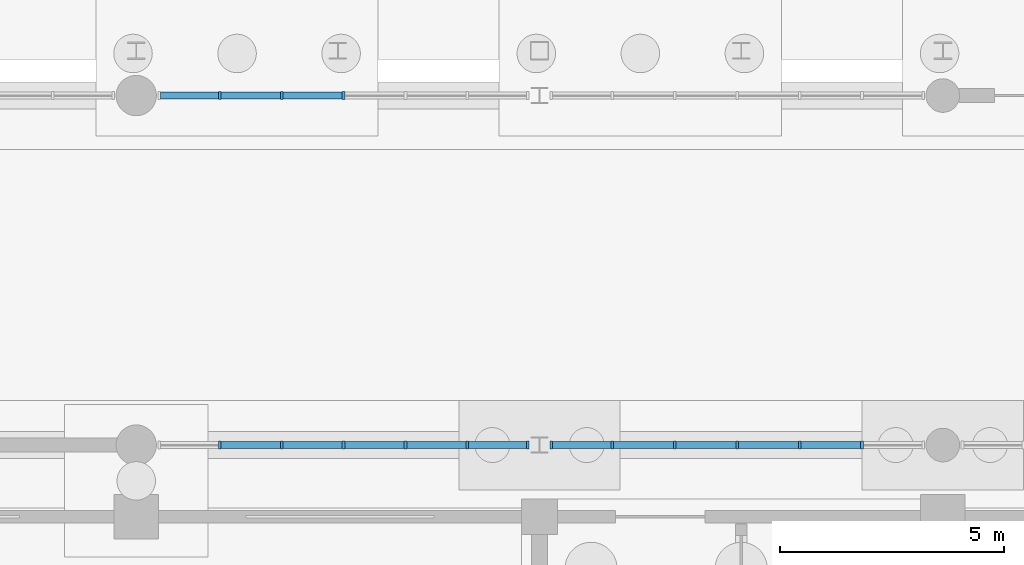
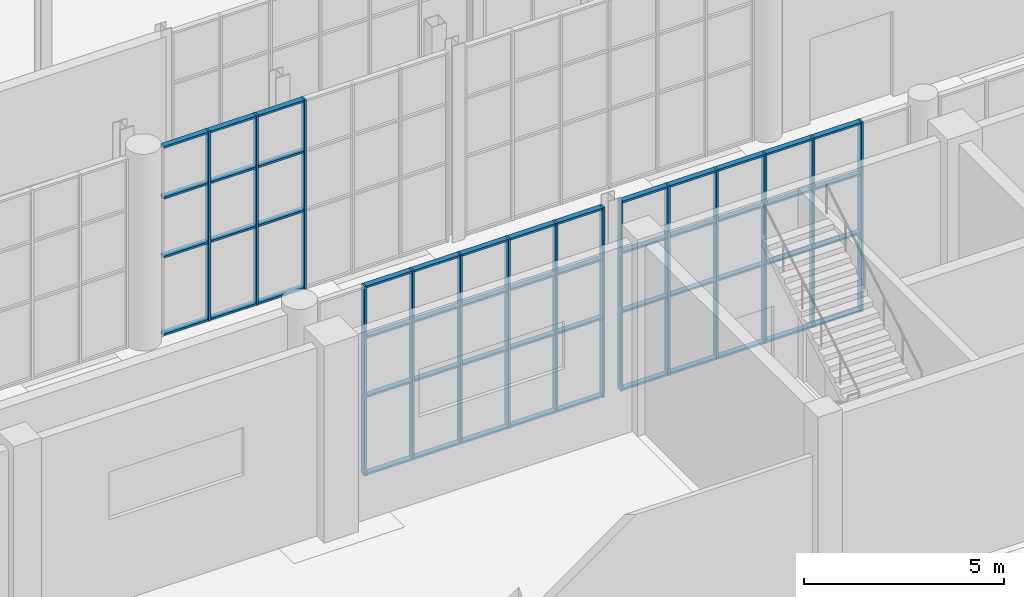
# One storey, part 63 of 131: 67 members, 3 elements without a shape of their own.
"""IFC4 building model written with IfcOpenShell, lengths in metres."""

import ifcopenshell
import ifcopenshell.guid

model = None  # the IFC model being written
_history = None  # IfcOwnerHistory: only IFC2X3 demands one
_inside = {}  # id of a spatial element -> (the spatial element, [elements in it])
_under = {}  # id of a project, library or spatial element -> (it, [spatial elements below it])
_declared = {}  # id of a project -> (the project, [libraries it declares])
_typed = {}  # id of a type object -> (the type object, [elements of that type])
_made_of = {}  # id of a material, layer set ... -> (it, [elements and type objects made of it])


def new_model(schema):
    """Start an empty IFC model of exactly this schema.

    Asked for "IFC4X3", IfcOpenShell would pick the latest addendum, in which some entities
    have other attributes; the version numbers below select the first issue.
    IFC2X3 requires an IfcOwnerHistory on every rooted entity: one is made here for all.
    """
    global model, _history
    if schema == "IFC4X3":
        model = ifcopenshell.file(schema_version=(4, 3, 0, 0))
    else:
        model = ifcopenshell.file(schema=schema)
    _inside.clear()
    _under.clear()
    _declared.clear()
    _typed.clear()
    _made_of.clear()
    _history = None
    if model.schema == "IFC2X3":
        org = make("IfcOrganization", Name="unknown")
        user = make(
            "IfcPersonAndOrganization",
            ThePerson=make("IfcPerson", FamilyName="unknown"),
            TheOrganization=org,
        )
        app = make(
            "IfcApplication",
            ApplicationDeveloper=org,
            Version="unknown",
            ApplicationFullName="unknown",
            ApplicationIdentifier="unknown",
        )
        _history = make(
            "IfcOwnerHistory",
            OwningUser=user,
            OwningApplication=app,
            ChangeAction="ADDED",
            CreationDate=0,
        )
    return model


def make(cls, **values):
    """One entity of the class cls with the attributes given. An attribute that is None is left unset."""
    return model.create_entity(
        cls, **{name: value for name, value in values.items() if value is not None}
    )


def rooted(cls, **values):
    """An entity with a GlobalId (a new one), such as an element, a storey or a relation."""
    return make(cls, GlobalId=ifcopenshell.guid.new(), OwnerHistory=_history, **values)


def si_unit(unit_type, name, prefix=None):
    """IfcSIUnit, for example si_unit("LENGTHUNIT", "METRE", prefix="MILLI")."""
    return make("IfcSIUnit", UnitType=unit_type, Prefix=prefix, Name=name)


def assignment(units):
    """IfcUnitAssignment: the units of a project."""
    return None if units is None else make("IfcUnitAssignment", Units=units)


def point(xyz):
    """IfcCartesianPoint."""
    return None if xyz is None else make("IfcCartesianPoint", Coordinates=xyz)


def direction(xyz):
    """IfcDirection."""
    return None if xyz is None else make("IfcDirection", DirectionRatios=xyz)


def frame(location, z_axis=None, x_axis=None):
    """IfcAxis2Placement3D, a coordinate frame: its origin and axes. An axis left out is left unset."""
    return make(
        "IfcAxis2Placement3D",
        Location=point(location),
        Axis=direction(z_axis),
        RefDirection=direction(x_axis),
    )


def frame_2d(location, x_axis=None):
    """IfcAxis2Placement2D, a coordinate frame in the plane: its origin and x axis."""
    return make(
        "IfcAxis2Placement2D", Location=point(location), RefDirection=direction(x_axis)
    )


def origin():
    """The frame at (0, 0, 0) with its axes left unset."""
    return frame((0.0, 0.0, 0.0))


def origin_2d():
    """The frame at (0, 0) in the plane with its x axis left unset."""
    return frame_2d((0.0, 0.0))


def place(relative_to, where):
    """IfcLocalPlacement: puts the frame where relative to a parent placement (None: the world)."""
    return make(
        "IfcLocalPlacement", PlacementRelTo=relative_to, RelativePlacement=where
    )


def context(
    kind, dimensions, precision=None, world=None, true_north=None, identifier=None
):
    """IfcGeometricRepresentationContext, for example the 3D "Model" context."""
    return make(
        "IfcGeometricRepresentationContext",
        ContextIdentifier=identifier,
        ContextType=kind,
        CoordinateSpaceDimension=dimensions,
        Precision=precision,
        WorldCoordinateSystem=world,
        TrueNorth=true_north,
    )


def subcontext(parent, identifier, kind, view, scale=None):
    """IfcGeometricRepresentationSubContext, for example "Body" below "Model"."""
    return make(
        "IfcGeometricRepresentationSubContext",
        ContextIdentifier=identifier,
        ContextType=kind,
        ParentContext=parent,
        TargetScale=scale,
        TargetView=view,
    )


def project(units=None, contexts=None):
    """IfcProject with its units and contexts."""
    return rooted(
        "IfcProject",
        Name="project",
        RepresentationContexts=contexts,
        UnitsInContext=assignment(units),
    )


def spatial(cls, under=None, at=None, **own):
    """A site, building, storey or space (cls), placed at a placement, below another one or the project."""
    s = rooted(cls, ObjectPlacement=at, **own)
    if under is not None:
        _under.setdefault(under.id(), (under, []))[1].append(s)
    return s


def profile(cls, at=None, kind="AREA", **sizes):
    """A parametric profile (cls). Its sizes go by their IFC names, for example OverallWidth=200.0."""
    return make(cls, ProfileType=kind, Position=at, **sizes)


def rectangle(**sizes):
    """IfcRectangleProfileDef."""
    return profile("IfcRectangleProfileDef", **sizes)


def extrude(swept, where, along, depth):
    """IfcExtrudedAreaSolid: the profile swept, set in the frame where, extruded along a direction by depth."""
    return make(
        "IfcExtrudedAreaSolid",
        SweptArea=swept,
        Position=where,
        ExtrudedDirection=direction(along),
        Depth=depth,
    )


def shape(context_of_items, identifier, shape_type, items):
    """IfcShapeRepresentation: the items that make up one representation, for example the "Body"."""
    return make(
        "IfcShapeRepresentation",
        ContextOfItems=context_of_items,
        RepresentationIdentifier=identifier,
        RepresentationType=shape_type,
        Items=items,
    )


def material(Name=None, Category=None):
    """IfcMaterial."""
    return make("IfcMaterial", Name=Name, Category=Category)


def layer(
    of_material, thickness, ventilated=None, Name=None, Category=None, Priority=None
):
    """IfcMaterialLayer: one layer of a wall or slab, of a material (None: an air gap)."""
    return make(
        "IfcMaterialLayer",
        Material=of_material,
        LayerThickness=thickness,
        IsVentilated=ventilated,
        Name=Name,
        Category=Category,
        Priority=Priority,
    )


def layer_set(layers, Name=None):
    """IfcMaterialLayerSet."""
    return make("IfcMaterialLayerSet", MaterialLayers=layers, LayerSetName=Name)


def material_profile(
    of_material, cross_section, Name=None, Category=None, Priority=None
):
    """IfcMaterialProfile: a cross section and its material."""
    return make(
        "IfcMaterialProfile",
        Name=Name,
        Material=of_material,
        Profile=cross_section,
        Priority=Priority,
        Category=Category,
    )


def profile_set(profiles, Name=None, composite=None):
    """IfcMaterialProfileSet."""
    return make(
        "IfcMaterialProfileSet",
        Name=Name,
        MaterialProfiles=profiles,
        CompositeProfile=composite,
    )


def made_of(thing, what):
    """Note that an element or type object is made of a material, layer set ...; save() writes the relation."""
    if what is not None:
        _made_of.setdefault(what.id(), (what, []))[1].append(thing)
    return thing


def type_object(cls, material=None, **own):
    """A type object (cls), such as IfcWallType, which elements share."""
    return made_of(rooted(cls, **own), material)


def element(
    cls,
    number,
    at=None,
    inside=None,
    cuts=None,
    type_object=None,
    material=None,
    context=None,
    identifier="Body",
    shape_type=None,
    held_by="IfcProductDefinitionShape",
    body=None,
    shapes=None,
    **own,
):
    """One element of the class cls, such as IfcWall. Its Tag is "e" and its number.

    at: its placement. inside: the storey or other place that contains it. cuts: it is an
    opening in that element (IfcRelVoidsElement). A single representation is given by context,
    identifier, shape_type and body (its items); several are given by shapes. held_by: the class
    of the entity that holds the representations. save() writes the other relations.
    """
    e = rooted(cls, Tag="e%d" % number, ObjectPlacement=at, **own)
    if body is not None:
        shapes = [shape(context, identifier, shape_type, body)]
    if shapes is not None:
        e.Representation = make(held_by, Representations=shapes)
    if inside is not None:
        _inside.setdefault(inside.id(), (inside, []))[1].append(e)
    if cuts is not None:
        rooted(
            "IfcRelVoidsElement", RelatingBuildingElement=cuts, RelatedOpeningElement=e
        )
    if type_object is not None:
        _typed.setdefault(type_object.id(), (type_object, []))[1].append(e)
    return made_of(e, material)


def aggregate(whole, parts):
    """IfcRelAggregates: a whole, such as a stair, and the parts it consists of."""
    return rooted("IfcRelAggregates", RelatingObject=whole, RelatedObjects=parts)


def save(model, path):
    """Write the relations noted so far, then the file.

    IfcRelAggregates (storeys below a building ...), IfcRelContainedInSpatialStructure (elements
    in a storey), IfcRelDefinesByType, IfcRelAssociatesMaterial and IfcRelDeclares: one each for
    every whole, place, type object, material and project.
    """
    for whole, parts in _under.values():
        aggregate(whole, parts)
    for where, things in _inside.values():
        rooted(
            "IfcRelContainedInSpatialStructure",
            RelatedElements=things,
            RelatingStructure=where,
        )
    for kind, things in _typed.values():
        rooted("IfcRelDefinesByType", RelatedObjects=things, RelatingType=kind)
    for what, things in _made_of.values():
        rooted("IfcRelAssociatesMaterial", RelatedObjects=things, RelatingMaterial=what)
    for by, libraries in _declared.values():
        rooted("IfcRelDeclares", RelatingContext=by, RelatedDefinitions=libraries)
    model.write(path)


model = new_model("IFC4")

# Units and contexts
model_context = context("Model", 3, precision=1e-05, world=origin(), true_north=direction((0.0, 1.0)))
body_context = subcontext(model_context, "Body", "Model", "MODEL_VIEW")
ifc_project = project(units=[si_unit("LENGTHUNIT", "METRE"), si_unit("AREAUNIT", "SQUARE_METRE"), si_unit("VOLUMEUNIT", "CUBIC_METRE"), si_unit("PLANEANGLEUNIT", "RADIAN"), si_unit("MASSUNIT", "GRAM", prefix="KILO")], contexts=[model_context])

# Site, building, storey
site_placement = place(None, origin())
site = spatial("IfcSite", under=ifc_project, at=site_placement, CompositionType="ELEMENT")
building_placement = place(site_placement, origin())
building = spatial("IfcBuilding", under=site, at=building_placement, Name="Cazmaro Siding Exhibition Halls", CompositionType="ELEMENT")
storey_placement = place(building_placement, origin())
storey = spatial("IfcBuildingStorey", under=building, at=storey_placement, Name="L00", CompositionType="ELEMENT", Elevation=0.0)

# Curtain wall, members
ifc_material_1 = material(Name="Anodized Bronze Aluminum and Solar-Control Low-E Glazing", Category="aluminium")
ifc_layer = layer(ifc_material_1, 0.179931640625)
ifc_layer_set = layer_set([ifc_layer], Name="Anodized Bronze Aluminum and Solar-Control Low-E Glazing")
curtain_wall_type = type_object("IfcCurtainWallType", Name="CWS-01", PredefinedType="USERDEFINED", material=ifc_layer_set)
curtain_wall_1_placement = place(storey_placement, origin())
curtain_wall_1 = element("IfcCurtainWall", 1, at=curtain_wall_1_placement, inside=storey, type_object=curtain_wall_type, Name="Glazed Curtain Wall CWS-01 CW-190", ObjectType="GLAZED CURTAIN WALL", PredefinedType="USERDEFINED")
ifc_material_2 = material(Name="Anodized Bronze Extruded Aluminum", Category="aluminium")
ifc_material_profile_1 = material_profile(ifc_material_2, rectangle(XDim=0.179931640625, YDim=0.06005859375, at=origin_2d()), Name="CWM-01")
ifc_profile_set_1 = profile_set([ifc_material_profile_1], Name="Anodized Bronze Extruded Aluminum")
member_type_1 = type_object("IfcMemberType", Name="CWM-01", PredefinedType="MULLION", material=ifc_profile_set_1)
member_1_placement = place(storey_placement, frame((127.8642578125, 55.199951171875, 0.0), z_axis=(0.0, 0.0, 1.0), x_axis=(0.0, 1.0, 0.0)))
member_1 = element("IfcMember", 2, at=member_1_placement, type_object=member_type_1, Name="CWS-01 mullion 2", PredefinedType="MULLION", context=body_context, shape_type="SweptSolid", body=[
    extrude(rectangle(XDim=0.179931640625, YDim=0.06005859375, at=origin_2d()), origin(), (0.0, 0.0, 1.0), 5.780029296875),
])
member_2_placement = place(storey_placement, frame((129.245361328125, 55.199951171875, 0.0), z_axis=(0.0, 0.0, 1.0), x_axis=(0.0, 1.0, 0.0)))
member_2 = element("IfcMember", 3, at=member_2_placement, type_object=member_type_1, Name="CWS-01 mullion 3", PredefinedType="MULLION", context=body_context, shape_type="SweptSolid", body=[
    extrude(rectangle(XDim=0.179931640625, YDim=0.06005859375, at=origin_2d()), origin(), (0.0, 0.0, 1.0), 5.780029296875),
])
member_3_placement = place(storey_placement, frame((130.62646484375, 55.199951171875, 0.0), z_axis=(0.0, 0.0, 1.0), x_axis=(0.0, 1.0, 0.0)))
member_3 = element("IfcMember", 4, at=member_3_placement, type_object=member_type_1, Name="CWS-01 mullion 4", PredefinedType="MULLION", context=body_context, shape_type="SweptSolid", body=[
    extrude(rectangle(XDim=0.179931640625, YDim=0.06005859375, at=origin_2d()), origin(), (0.0, 0.0, 1.0), 5.780029296875),
])
member_4_placement = place(storey_placement, frame((132.007568359375, 55.199951171875, 0.0), z_axis=(0.0, 0.0, 1.0), x_axis=(0.0, 1.0, 0.0)))
member_4 = element("IfcMember", 5, at=member_4_placement, type_object=member_type_1, Name="CWS-01 mullion 5", PredefinedType="MULLION", context=body_context, shape_type="SweptSolid", body=[
    extrude(rectangle(XDim=0.179931640625, YDim=0.06005859375, at=origin_2d()), origin(), (0.0, 0.0, 1.0), 5.780029296875),
])
member_5_placement = place(storey_placement, frame((133.388916015625, 55.199951171875, 0.0), z_axis=(0.0, 0.0, 1.0), x_axis=(0.0, 1.0, 0.0)))
member_5 = element("IfcMember", 6, at=member_5_placement, type_object=member_type_1, Name="CWS-01 mullion 6", PredefinedType="MULLION", context=body_context, shape_type="SweptSolid", body=[
    extrude(rectangle(XDim=0.179931640625, YDim=0.06005859375, at=origin_2d()), origin(), (0.0, 0.0, 1.0), 5.780029296875),
])
member_6_placement = place(storey_placement, frame((134.739990234375, 55.199951171875, 0.0), z_axis=(0.0, 0.0, 1.0), x_axis=(0.0, 1.0, 0.0)))
member_6 = element("IfcMember", 7, at=member_6_placement, type_object=member_type_1, Name="CWS-01 mullion 7", PredefinedType="MULLION", context=body_context, shape_type="SweptSolid", body=[
    extrude(rectangle(XDim=0.179931640625, YDim=0.06005859375, at=origin_2d()), origin(), (0.0, 0.0, 1.0), 5.780029296875),
])

curtain_wall_2_placement = place(storey_placement, origin())
curtain_wall_2 = element("IfcCurtainWall", 8, at=curtain_wall_2_placement, inside=storey, type_object=curtain_wall_type, Name="Glazed Curtain Wall CWS-01 CW-191", ObjectType="GLAZED CURTAIN WALL", PredefinedType="USERDEFINED")
member_7_placement = place(storey_placement, frame((130.62646484375, 63.0, 0.0), z_axis=(0.0, 0.0, 1.0), x_axis=(0.0, -1.0, 0.0)))
member_7 = element("IfcMember", 9, at=member_7_placement, type_object=member_type_1, Name="CWS-01 mullion 4", PredefinedType="MULLION", context=body_context, shape_type="SweptSolid", body=[
    extrude(rectangle(XDim=0.179931640625, YDim=0.06005859375, at=origin_2d()), origin(), (0.0, 0.0, 1.0), 5.780029296875),
])
member_8_placement = place(storey_placement, frame((129.245361328125, 63.0, 0.0), z_axis=(0.0, 0.0, 1.0), x_axis=(0.0, -1.0, 0.0)))
member_8 = element("IfcMember", 10, at=member_8_placement, type_object=member_type_1, Name="CWS-01 mullion 5", PredefinedType="MULLION", context=body_context, shape_type="SweptSolid", body=[
    extrude(rectangle(XDim=0.179931640625, YDim=0.06005859375, at=origin_2d()), origin(), (0.0, 0.0, 1.0), 5.780029296875),
])
member_9_placement = place(storey_placement, frame((127.8642578125, 63.0, 0.0), z_axis=(0.0, 0.0, 1.0), x_axis=(0.0, -1.0, 0.0)))
member_9 = element("IfcMember", 11, at=member_9_placement, type_object=member_type_1, Name="CWS-01 mullion 6", PredefinedType="MULLION", context=body_context, shape_type="SweptSolid", body=[
    extrude(rectangle(XDim=0.179931640625, YDim=0.06005859375, at=origin_2d()), origin(), (0.0, 0.0, 1.0), 5.780029296875),
])

curtain_wall_3_placement = place(storey_placement, origin())
curtain_wall_3 = element("IfcCurtainWall", 12, at=curtain_wall_3_placement, inside=storey, type_object=curtain_wall_type, Name="Glazed Curtain Wall CWS-01 CW-196", ObjectType="GLAZED CURTAIN WALL", PredefinedType="USERDEFINED")
member_10_placement = place(storey_placement, frame((135.260009765625, 55.199951171875, 0.0), z_axis=(0.0, 0.0, 1.0), x_axis=(0.0, 1.0, 0.0)))
member_10 = element("IfcMember", 13, at=member_10_placement, type_object=member_type_1, Name="CWS-01 mullion 1", PredefinedType="MULLION", context=body_context, shape_type="SweptSolid", body=[
    extrude(rectangle(XDim=0.179931640625, YDim=0.06005859375, at=origin_2d()), origin(), (0.0, 0.0, 1.0), 5.780029296875),
])
member_11_placement = place(storey_placement, frame((136.623779296875, 55.199951171875, 0.0), z_axis=(0.0, 0.0, 1.0), x_axis=(0.0, 1.0, 0.0)))
member_11 = element("IfcMember", 14, at=member_11_placement, type_object=member_type_1, Name="CWS-01 mullion 2", PredefinedType="MULLION", context=body_context, shape_type="SweptSolid", body=[
    extrude(rectangle(XDim=0.179931640625, YDim=0.06005859375, at=origin_2d()), origin(), (0.0, 0.0, 1.0), 5.780029296875),
])
member_12_placement = place(storey_placement, frame((138.017333984375, 55.199951171875, 0.0), z_axis=(0.0, 0.0, 1.0), x_axis=(0.0, 1.0, 0.0)))
member_12 = element("IfcMember", 15, at=member_12_placement, type_object=member_type_1, Name="CWS-01 mullion 3", PredefinedType="MULLION", context=body_context, shape_type="SweptSolid", body=[
    extrude(rectangle(XDim=0.179931640625, YDim=0.06005859375, at=origin_2d()), origin(), (0.0, 0.0, 1.0), 5.780029296875),
])
member_13_placement = place(storey_placement, frame((139.410888671875, 55.199951171875, 0.0), z_axis=(0.0, 0.0, 1.0), x_axis=(0.0, 1.0, 0.0)))
member_13 = element("IfcMember", 16, at=member_13_placement, type_object=member_type_1, Name="CWS-01 mullion 4", PredefinedType="MULLION", context=body_context, shape_type="SweptSolid", body=[
    extrude(rectangle(XDim=0.179931640625, YDim=0.06005859375, at=origin_2d()), origin(), (0.0, 0.0, 1.0), 5.780029296875),
])
member_14_placement = place(storey_placement, frame((140.8046875, 55.199951171875, 0.0), z_axis=(0.0, 0.0, 1.0), x_axis=(0.0, 1.0, 0.0)))
member_14 = element("IfcMember", 17, at=member_14_placement, type_object=member_type_1, Name="CWS-01 mullion 5", PredefinedType="MULLION", context=body_context, shape_type="SweptSolid", body=[
    extrude(rectangle(XDim=0.179931640625, YDim=0.06005859375, at=origin_2d()), origin(), (0.0, 0.0, 1.0), 5.780029296875),
])
member_15_placement = place(storey_placement, frame((142.1982421875, 55.199951171875, 0.0), z_axis=(0.0, 0.0, 1.0), x_axis=(0.0, 1.0, 0.0)))
member_15 = element("IfcMember", 18, at=member_15_placement, type_object=member_type_1, Name="CWS-01 mullion 6", PredefinedType="MULLION", context=body_context, shape_type="SweptSolid", body=[
    extrude(rectangle(XDim=0.179931640625, YDim=0.06005859375, at=origin_2d()), origin(), (0.0, 0.0, 1.0), 5.780029296875),
])

# Member
ifc_material_3 = material(Name="Anodized Bronze Extruded Aluminum", Category="aluminium")
ifc_material_profile_2 = material_profile(ifc_material_3, rectangle(XDim=0.159912109375, YDim=0.06005859375, at=origin_2d()), Name="CWT-01")
ifc_profile_set_2 = profile_set([ifc_material_profile_2], Name="Anodized Bronze Extruded Aluminum")
member_type_2 = type_object("IfcMemberType", Name="CWT-01", PredefinedType="MULLION", material=ifc_profile_set_2)
member_16_placement = place(storey_placement, frame((127.894287109375, 55.199951171875, 0.030029296875), z_axis=(1.0, 0.0, 0.0), x_axis=(0.0, 1.0, 0.0)))
member_16 = element("IfcMember", 19, at=member_16_placement, type_object=member_type_2, Name="CWS-01 transom 2.1", ObjectType="TRANSOM", PredefinedType="USERDEFINED", context=body_context, shape_type="SweptSolid", body=[
    extrude(rectangle(XDim=0.159912109375, YDim=0.06005859375, at=origin_2d()), origin(), (0.0, 0.0, 1.0), 1.321044921875),
])

member_17_placement = place(storey_placement, frame((127.894287109375, 55.199951171875, 2.39990234375), z_axis=(1.0, 0.0, 0.0), x_axis=(0.0, 1.0, 0.0)))
member_17 = element("IfcMember", 20, at=member_17_placement, type_object=member_type_2, Name="CWS-01 transom 2.2", ObjectType="TRANSOM", PredefinedType="USERDEFINED", context=body_context, shape_type="SweptSolid", body=[
    extrude(rectangle(XDim=0.159912109375, YDim=0.06005859375, at=origin_2d()), origin(), (0.0, 0.0, 1.0), 1.321044921875),
])

member_18_placement = place(storey_placement, frame((127.894287109375, 55.199951171875, 4.199951171875), z_axis=(1.0, 0.0, 0.0), x_axis=(0.0, 1.0, 0.0)))
member_18 = element("IfcMember", 21, at=member_18_placement, type_object=member_type_2, Name="CWS-01 transom 2.3", ObjectType="TRANSOM", PredefinedType="USERDEFINED", context=body_context, shape_type="SweptSolid", body=[
    extrude(rectangle(XDim=0.159912109375, YDim=0.06005859375, at=origin_2d()), origin(), (0.0, 0.0, 1.0), 1.321044921875),
])

member_19_placement = place(storey_placement, frame((127.894287109375, 55.199951171875, 5.75), z_axis=(1.0, 0.0, 0.0), x_axis=(0.0, 1.0, 0.0)))
member_19 = element("IfcMember", 22, at=member_19_placement, type_object=member_type_2, Name="CWS-01 transom 2.4", ObjectType="TRANSOM", PredefinedType="USERDEFINED", context=body_context, shape_type="SweptSolid", body=[
    extrude(rectangle(XDim=0.159912109375, YDim=0.06005859375, at=origin_2d()), origin(), (0.0, 0.0, 1.0), 1.321044921875),
])

member_20_placement = place(storey_placement, frame((129.275390625, 55.199951171875, 0.030029296875), z_axis=(1.0, 0.0, 0.0), x_axis=(0.0, 1.0, 0.0)))
member_20 = element("IfcMember", 23, at=member_20_placement, type_object=member_type_2, Name="CWS-01 transom 3.1", ObjectType="TRANSOM", PredefinedType="USERDEFINED", context=body_context, shape_type="SweptSolid", body=[
    extrude(rectangle(XDim=0.159912109375, YDim=0.06005859375, at=origin_2d()), origin(), (0.0, 0.0, 1.0), 1.321044921875),
])

member_21_placement = place(storey_placement, frame((129.275390625, 55.199951171875, 2.39990234375), z_axis=(1.0, 0.0, 0.0), x_axis=(0.0, 1.0, 0.0)))
member_21 = element("IfcMember", 24, at=member_21_placement, type_object=member_type_2, Name="CWS-01 transom 3.2", ObjectType="TRANSOM", PredefinedType="USERDEFINED", context=body_context, shape_type="SweptSolid", body=[
    extrude(rectangle(XDim=0.159912109375, YDim=0.06005859375, at=origin_2d()), origin(), (0.0, 0.0, 1.0), 1.321044921875),
])

member_22_placement = place(storey_placement, frame((129.275390625, 55.199951171875, 4.199951171875), z_axis=(1.0, 0.0, 0.0), x_axis=(0.0, 1.0, 0.0)))
member_22 = element("IfcMember", 25, at=member_22_placement, type_object=member_type_2, Name="CWS-01 transom 3.3", ObjectType="TRANSOM", PredefinedType="USERDEFINED", context=body_context, shape_type="SweptSolid", body=[
    extrude(rectangle(XDim=0.159912109375, YDim=0.06005859375, at=origin_2d()), origin(), (0.0, 0.0, 1.0), 1.321044921875),
])

member_23_placement = place(storey_placement, frame((129.275390625, 55.199951171875, 5.75), z_axis=(1.0, 0.0, 0.0), x_axis=(0.0, 1.0, 0.0)))
member_23 = element("IfcMember", 26, at=member_23_placement, type_object=member_type_2, Name="CWS-01 transom 3.4", ObjectType="TRANSOM", PredefinedType="USERDEFINED", context=body_context, shape_type="SweptSolid", body=[
    extrude(rectangle(XDim=0.159912109375, YDim=0.06005859375, at=origin_2d()), origin(), (0.0, 0.0, 1.0), 1.321044921875),
])

member_24_placement = place(storey_placement, frame((130.656494140625, 55.199951171875, 0.030029296875), z_axis=(1.0, 0.0, 0.0), x_axis=(0.0, 1.0, 0.0)))
member_24 = element("IfcMember", 27, at=member_24_placement, type_object=member_type_2, Name="CWS-01 transom 4.1", ObjectType="TRANSOM", PredefinedType="USERDEFINED", context=body_context, shape_type="SweptSolid", body=[
    extrude(rectangle(XDim=0.159912109375, YDim=0.06005859375, at=origin_2d()), origin(), (0.0, 0.0, 1.0), 1.3212890625),
])

member_25_placement = place(storey_placement, frame((130.656494140625, 55.199951171875, 2.39990234375), z_axis=(1.0, 0.0, 0.0), x_axis=(0.0, 1.0, 0.0)))
member_25 = element("IfcMember", 28, at=member_25_placement, type_object=member_type_2, Name="CWS-01 transom 4.2", ObjectType="TRANSOM", PredefinedType="USERDEFINED", context=body_context, shape_type="SweptSolid", body=[
    extrude(rectangle(XDim=0.159912109375, YDim=0.06005859375, at=origin_2d()), origin(), (0.0, 0.0, 1.0), 1.3212890625),
])

member_26_placement = place(storey_placement, frame((130.656494140625, 55.199951171875, 4.199951171875), z_axis=(1.0, 0.0, 0.0), x_axis=(0.0, 1.0, 0.0)))
member_26 = element("IfcMember", 29, at=member_26_placement, type_object=member_type_2, Name="CWS-01 transom 4.3", ObjectType="TRANSOM", PredefinedType="USERDEFINED", context=body_context, shape_type="SweptSolid", body=[
    extrude(rectangle(XDim=0.159912109375, YDim=0.06005859375, at=origin_2d()), origin(), (0.0, 0.0, 1.0), 1.3212890625),
])

member_27_placement = place(storey_placement, frame((130.656494140625, 55.199951171875, 5.75), z_axis=(1.0, 0.0, 0.0), x_axis=(0.0, 1.0, 0.0)))
member_27 = element("IfcMember", 30, at=member_27_placement, type_object=member_type_2, Name="CWS-01 transom 4.4", ObjectType="TRANSOM", PredefinedType="USERDEFINED", context=body_context, shape_type="SweptSolid", body=[
    extrude(rectangle(XDim=0.159912109375, YDim=0.06005859375, at=origin_2d()), origin(), (0.0, 0.0, 1.0), 1.3212890625),
])

member_28_placement = place(storey_placement, frame((132.03759765625, 55.199951171875, 0.030029296875), z_axis=(1.0, 0.0, 0.0), x_axis=(0.0, 1.0, 0.0)))
member_28 = element("IfcMember", 31, at=member_28_placement, type_object=member_type_2, Name="CWS-01 transom 5.1", ObjectType="TRANSOM", PredefinedType="USERDEFINED", context=body_context, shape_type="SweptSolid", body=[
    extrude(rectangle(XDim=0.159912109375, YDim=0.06005859375, at=origin_2d()), origin(), (0.0, 0.0, 1.0), 1.3212890625),
])

member_29_placement = place(storey_placement, frame((132.03759765625, 55.199951171875, 2.39990234375), z_axis=(1.0, 0.0, 0.0), x_axis=(0.0, 1.0, 0.0)))
member_29 = element("IfcMember", 32, at=member_29_placement, type_object=member_type_2, Name="CWS-01 transom 5.2", ObjectType="TRANSOM", PredefinedType="USERDEFINED", context=body_context, shape_type="SweptSolid", body=[
    extrude(rectangle(XDim=0.159912109375, YDim=0.06005859375, at=origin_2d()), origin(), (0.0, 0.0, 1.0), 1.3212890625),
])

member_30_placement = place(storey_placement, frame((132.03759765625, 55.199951171875, 4.199951171875), z_axis=(1.0, 0.0, 0.0), x_axis=(0.0, 1.0, 0.0)))
member_30 = element("IfcMember", 33, at=member_30_placement, type_object=member_type_2, Name="CWS-01 transom 5.3", ObjectType="TRANSOM", PredefinedType="USERDEFINED", context=body_context, shape_type="SweptSolid", body=[
    extrude(rectangle(XDim=0.159912109375, YDim=0.06005859375, at=origin_2d()), origin(), (0.0, 0.0, 1.0), 1.3212890625),
])

member_31_placement = place(storey_placement, frame((132.03759765625, 55.199951171875, 5.75), z_axis=(1.0, 0.0, 0.0), x_axis=(0.0, 1.0, 0.0)))
member_31 = element("IfcMember", 34, at=member_31_placement, type_object=member_type_2, Name="CWS-01 transom 5.4", ObjectType="TRANSOM", PredefinedType="USERDEFINED", context=body_context, shape_type="SweptSolid", body=[
    extrude(rectangle(XDim=0.159912109375, YDim=0.06005859375, at=origin_2d()), origin(), (0.0, 0.0, 1.0), 1.3212890625),
])

member_32_placement = place(storey_placement, frame((133.4189453125, 55.199951171875, 0.030029296875), z_axis=(1.0, 0.0, 0.0), x_axis=(0.0, 1.0, 0.0)))
member_32 = element("IfcMember", 35, at=member_32_placement, type_object=member_type_2, Name="CWS-01 transom 6.1", ObjectType="TRANSOM", PredefinedType="USERDEFINED", context=body_context, shape_type="SweptSolid", body=[
    extrude(rectangle(XDim=0.159912109375, YDim=0.06005859375, at=origin_2d()), origin(), (0.0, 0.0, 1.0), 1.291015625),
])

member_33_placement = place(storey_placement, frame((133.4189453125, 55.199951171875, 2.39990234375), z_axis=(1.0, 0.0, 0.0), x_axis=(0.0, 1.0, 0.0)))
member_33 = element("IfcMember", 36, at=member_33_placement, type_object=member_type_2, Name="CWS-01 transom 6.2", ObjectType="TRANSOM", PredefinedType="USERDEFINED", context=body_context, shape_type="SweptSolid", body=[
    extrude(rectangle(XDim=0.159912109375, YDim=0.06005859375, at=origin_2d()), origin(), (0.0, 0.0, 1.0), 1.291015625),
])

member_34_placement = place(storey_placement, frame((133.4189453125, 55.199951171875, 4.199951171875), z_axis=(1.0, 0.0, 0.0), x_axis=(0.0, 1.0, 0.0)))
member_34 = element("IfcMember", 37, at=member_34_placement, type_object=member_type_2, Name="CWS-01 transom 6.3", ObjectType="TRANSOM", PredefinedType="USERDEFINED", context=body_context, shape_type="SweptSolid", body=[
    extrude(rectangle(XDim=0.159912109375, YDim=0.06005859375, at=origin_2d()), origin(), (0.0, 0.0, 1.0), 1.291015625),
])

member_35_placement = place(storey_placement, frame((133.4189453125, 55.199951171875, 5.75), z_axis=(1.0, 0.0, 0.0), x_axis=(0.0, 1.0, 0.0)))
member_35 = element("IfcMember", 38, at=member_35_placement, type_object=member_type_2, Name="CWS-01 transom 6.4", ObjectType="TRANSOM", PredefinedType="USERDEFINED", context=body_context, shape_type="SweptSolid", body=[
    extrude(rectangle(XDim=0.159912109375, YDim=0.06005859375, at=origin_2d()), origin(), (0.0, 0.0, 1.0), 1.291015625),
])

aggregate(curtain_wall_1, [member_1, member_2, member_3, member_4, member_5, member_6, member_16, member_17, member_18, member_19, member_20, member_21, member_22, member_23, member_24, member_25, member_26, member_27, member_28, member_29, member_30, member_31, member_32, member_33, member_34, member_35])

member_36_placement = place(storey_placement, frame((130.596435546875, 63.0, 0.030029296875), z_axis=(-1.0, 0.0, 0.0), x_axis=(0.0, -1.0, 0.0)))
member_36 = element("IfcMember", 39, at=member_36_placement, type_object=member_type_2, Name="CWS-01 transom 4.1", ObjectType="TRANSOM", PredefinedType="USERDEFINED", context=body_context, shape_type="SweptSolid", body=[
    extrude(rectangle(XDim=0.159912109375, YDim=0.06005859375, at=origin_2d()), origin(), (0.0, 0.0, 1.0), 1.321044921875),
])

member_37_placement = place(storey_placement, frame((130.596435546875, 63.0, 2.39990234375), z_axis=(-1.0, 0.0, 0.0), x_axis=(0.0, -1.0, 0.0)))
member_37 = element("IfcMember", 40, at=member_37_placement, type_object=member_type_2, Name="CWS-01 transom 4.2", ObjectType="TRANSOM", PredefinedType="USERDEFINED", context=body_context, shape_type="SweptSolid", body=[
    extrude(rectangle(XDim=0.159912109375, YDim=0.06005859375, at=origin_2d()), origin(), (0.0, 0.0, 1.0), 1.321044921875),
])

member_38_placement = place(storey_placement, frame((130.596435546875, 63.0, 4.199951171875), z_axis=(-1.0, 0.0, 0.0), x_axis=(0.0, -1.0, 0.0)))
member_38 = element("IfcMember", 41, at=member_38_placement, type_object=member_type_2, Name="CWS-01 transom 4.3", ObjectType="TRANSOM", PredefinedType="USERDEFINED", context=body_context, shape_type="SweptSolid", body=[
    extrude(rectangle(XDim=0.159912109375, YDim=0.06005859375, at=origin_2d()), origin(), (0.0, 0.0, 1.0), 1.321044921875),
])

member_39_placement = place(storey_placement, frame((130.596435546875, 63.0, 5.75), z_axis=(-1.0, 0.0, 0.0), x_axis=(0.0, -1.0, 0.0)))
member_39 = element("IfcMember", 42, at=member_39_placement, type_object=member_type_2, Name="CWS-01 transom 4.4", ObjectType="TRANSOM", PredefinedType="USERDEFINED", context=body_context, shape_type="SweptSolid", body=[
    extrude(rectangle(XDim=0.159912109375, YDim=0.06005859375, at=origin_2d()), origin(), (0.0, 0.0, 1.0), 1.321044921875),
])

member_40_placement = place(storey_placement, frame((129.21533203125, 63.0, 0.030029296875), z_axis=(-1.0, 0.0, 0.0), x_axis=(0.0, -1.0, 0.0)))
member_40 = element("IfcMember", 43, at=member_40_placement, type_object=member_type_2, Name="CWS-01 transom 5.1", ObjectType="TRANSOM", PredefinedType="USERDEFINED", context=body_context, shape_type="SweptSolid", body=[
    extrude(rectangle(XDim=0.159912109375, YDim=0.06005859375, at=origin_2d()), origin(), (0.0, 0.0, 1.0), 1.321044921875),
])

member_41_placement = place(storey_placement, frame((129.21533203125, 63.0, 2.39990234375), z_axis=(-1.0, 0.0, 0.0), x_axis=(0.0, -1.0, 0.0)))
member_41 = element("IfcMember", 44, at=member_41_placement, type_object=member_type_2, Name="CWS-01 transom 5.2", ObjectType="TRANSOM", PredefinedType="USERDEFINED", context=body_context, shape_type="SweptSolid", body=[
    extrude(rectangle(XDim=0.159912109375, YDim=0.06005859375, at=origin_2d()), origin(), (0.0, 0.0, 1.0), 1.321044921875),
])

member_42_placement = place(storey_placement, frame((129.21533203125, 63.0, 4.199951171875), z_axis=(-1.0, 0.0, 0.0), x_axis=(0.0, -1.0, 0.0)))
member_42 = element("IfcMember", 45, at=member_42_placement, type_object=member_type_2, Name="CWS-01 transom 5.3", ObjectType="TRANSOM", PredefinedType="USERDEFINED", context=body_context, shape_type="SweptSolid", body=[
    extrude(rectangle(XDim=0.159912109375, YDim=0.06005859375, at=origin_2d()), origin(), (0.0, 0.0, 1.0), 1.321044921875),
])

member_43_placement = place(storey_placement, frame((129.21533203125, 63.0, 5.75), z_axis=(-1.0, 0.0, 0.0), x_axis=(0.0, -1.0, 0.0)))
member_43 = element("IfcMember", 46, at=member_43_placement, type_object=member_type_2, Name="CWS-01 transom 5.4", ObjectType="TRANSOM", PredefinedType="USERDEFINED", context=body_context, shape_type="SweptSolid", body=[
    extrude(rectangle(XDim=0.159912109375, YDim=0.06005859375, at=origin_2d()), origin(), (0.0, 0.0, 1.0), 1.321044921875),
])

member_44_placement = place(storey_placement, frame((127.834228515625, 63.0, 0.030029296875), z_axis=(-1.0, 0.0, 0.0), x_axis=(0.0, -1.0, 0.0)))
member_44 = element("IfcMember", 47, at=member_44_placement, type_object=member_type_2, Name="CWS-01 transom 6.1", ObjectType="TRANSOM", PredefinedType="USERDEFINED", context=body_context, shape_type="SweptSolid", body=[
    extrude(rectangle(XDim=0.159912109375, YDim=0.06005859375, at=origin_2d()), origin(), (0.0, 0.0, 1.0), 1.291259765625),
])

member_45_placement = place(storey_placement, frame((127.834228515625, 63.0, 2.39990234375), z_axis=(-1.0, 0.0, 0.0), x_axis=(0.0, -1.0, 0.0)))
member_45 = element("IfcMember", 48, at=member_45_placement, type_object=member_type_2, Name="CWS-01 transom 6.2", ObjectType="TRANSOM", PredefinedType="USERDEFINED", context=body_context, shape_type="SweptSolid", body=[
    extrude(rectangle(XDim=0.159912109375, YDim=0.06005859375, at=origin_2d()), origin(), (0.0, 0.0, 1.0), 1.291259765625),
])

member_46_placement = place(storey_placement, frame((127.834228515625, 63.0, 4.199951171875), z_axis=(-1.0, 0.0, 0.0), x_axis=(0.0, -1.0, 0.0)))
member_46 = element("IfcMember", 49, at=member_46_placement, type_object=member_type_2, Name="CWS-01 transom 6.3", ObjectType="TRANSOM", PredefinedType="USERDEFINED", context=body_context, shape_type="SweptSolid", body=[
    extrude(rectangle(XDim=0.159912109375, YDim=0.06005859375, at=origin_2d()), origin(), (0.0, 0.0, 1.0), 1.291259765625),
])

member_47_placement = place(storey_placement, frame((127.834228515625, 63.0, 5.75), z_axis=(-1.0, 0.0, 0.0), x_axis=(0.0, -1.0, 0.0)))
member_47 = element("IfcMember", 50, at=member_47_placement, type_object=member_type_2, Name="CWS-01 transom 6.4", ObjectType="TRANSOM", PredefinedType="USERDEFINED", context=body_context, shape_type="SweptSolid", body=[
    extrude(rectangle(XDim=0.159912109375, YDim=0.06005859375, at=origin_2d()), origin(), (0.0, 0.0, 1.0), 1.291259765625),
])

aggregate(curtain_wall_2, [member_7, member_8, member_9, member_36, member_37, member_38, member_39, member_40, member_41, member_42, member_43, member_44, member_45, member_46, member_47])

member_48_placement = place(storey_placement, frame((135.2900390625, 55.199951171875, 0.030029296875), z_axis=(1.0, 0.0, 0.0), x_axis=(0.0, 1.0, 0.0)))
member_48 = element("IfcMember", 51, at=member_48_placement, type_object=member_type_2, Name="CWS-01 transom 1.1", ObjectType="TRANSOM", PredefinedType="USERDEFINED", context=body_context, shape_type="SweptSolid", body=[
    extrude(rectangle(XDim=0.159912109375, YDim=0.06005859375, at=origin_2d()), origin(), (0.0, 0.0, 1.0), 1.3037109375),
])

member_49_placement = place(storey_placement, frame((135.2900390625, 55.199951171875, 2.39990234375), z_axis=(1.0, 0.0, 0.0), x_axis=(0.0, 1.0, 0.0)))
member_49 = element("IfcMember", 52, at=member_49_placement, type_object=member_type_2, Name="CWS-01 transom 1.2", ObjectType="TRANSOM", PredefinedType="USERDEFINED", context=body_context, shape_type="SweptSolid", body=[
    extrude(rectangle(XDim=0.159912109375, YDim=0.06005859375, at=origin_2d()), origin(), (0.0, 0.0, 1.0), 1.3037109375),
])

member_50_placement = place(storey_placement, frame((135.2900390625, 55.199951171875, 4.199951171875), z_axis=(1.0, 0.0, 0.0), x_axis=(0.0, 1.0, 0.0)))
member_50 = element("IfcMember", 53, at=member_50_placement, type_object=member_type_2, Name="CWS-01 transom 1.3", ObjectType="TRANSOM", PredefinedType="USERDEFINED", context=body_context, shape_type="SweptSolid", body=[
    extrude(rectangle(XDim=0.159912109375, YDim=0.06005859375, at=origin_2d()), origin(), (0.0, 0.0, 1.0), 1.3037109375),
])

member_51_placement = place(storey_placement, frame((135.2900390625, 55.199951171875, 5.75), z_axis=(1.0, 0.0, 0.0), x_axis=(0.0, 1.0, 0.0)))
member_51 = element("IfcMember", 54, at=member_51_placement, type_object=member_type_2, Name="CWS-01 transom 1.4", ObjectType="TRANSOM", PredefinedType="USERDEFINED", context=body_context, shape_type="SweptSolid", body=[
    extrude(rectangle(XDim=0.159912109375, YDim=0.06005859375, at=origin_2d()), origin(), (0.0, 0.0, 1.0), 1.3037109375),
])

member_52_placement = place(storey_placement, frame((136.653564453125, 55.199951171875, 0.030029296875), z_axis=(1.0, 0.0, 0.0), x_axis=(0.0, 1.0, 0.0)))
member_52 = element("IfcMember", 55, at=member_52_placement, type_object=member_type_2, Name="CWS-01 transom 2.1", ObjectType="TRANSOM", PredefinedType="USERDEFINED", context=body_context, shape_type="SweptSolid", body=[
    extrude(rectangle(XDim=0.159912109375, YDim=0.06005859375, at=origin_2d()), origin(), (0.0, 0.0, 1.0), 1.333740234375),
])

member_53_placement = place(storey_placement, frame((136.653564453125, 55.199951171875, 2.39990234375), z_axis=(1.0, 0.0, 0.0), x_axis=(0.0, 1.0, 0.0)))
member_53 = element("IfcMember", 56, at=member_53_placement, type_object=member_type_2, Name="CWS-01 transom 2.2", ObjectType="TRANSOM", PredefinedType="USERDEFINED", context=body_context, shape_type="SweptSolid", body=[
    extrude(rectangle(XDim=0.159912109375, YDim=0.06005859375, at=origin_2d()), origin(), (0.0, 0.0, 1.0), 1.333740234375),
])

member_54_placement = place(storey_placement, frame((136.653564453125, 55.199951171875, 4.199951171875), z_axis=(1.0, 0.0, 0.0), x_axis=(0.0, 1.0, 0.0)))
member_54 = element("IfcMember", 57, at=member_54_placement, type_object=member_type_2, Name="CWS-01 transom 2.3", ObjectType="TRANSOM", PredefinedType="USERDEFINED", context=body_context, shape_type="SweptSolid", body=[
    extrude(rectangle(XDim=0.159912109375, YDim=0.06005859375, at=origin_2d()), origin(), (0.0, 0.0, 1.0), 1.333740234375),
])

member_55_placement = place(storey_placement, frame((136.653564453125, 55.199951171875, 5.75), z_axis=(1.0, 0.0, 0.0), x_axis=(0.0, 1.0, 0.0)))
member_55 = element("IfcMember", 58, at=member_55_placement, type_object=member_type_2, Name="CWS-01 transom 2.4", ObjectType="TRANSOM", PredefinedType="USERDEFINED", context=body_context, shape_type="SweptSolid", body=[
    extrude(rectangle(XDim=0.159912109375, YDim=0.06005859375, at=origin_2d()), origin(), (0.0, 0.0, 1.0), 1.333740234375),
])

member_56_placement = place(storey_placement, frame((138.04736328125, 55.199951171875, 0.030029296875), z_axis=(1.0, 0.0, 0.0), x_axis=(0.0, 1.0, 0.0)))
member_56 = element("IfcMember", 59, at=member_56_placement, type_object=member_type_2, Name="CWS-01 transom 3.1", ObjectType="TRANSOM", PredefinedType="USERDEFINED", context=body_context, shape_type="SweptSolid", body=[
    extrude(rectangle(XDim=0.159912109375, YDim=0.06005859375, at=origin_2d()), origin(), (0.0, 0.0, 1.0), 1.333740234375),
])

member_57_placement = place(storey_placement, frame((138.04736328125, 55.199951171875, 2.39990234375), z_axis=(1.0, 0.0, 0.0), x_axis=(0.0, 1.0, 0.0)))
member_57 = element("IfcMember", 60, at=member_57_placement, type_object=member_type_2, Name="CWS-01 transom 3.2", ObjectType="TRANSOM", PredefinedType="USERDEFINED", context=body_context, shape_type="SweptSolid", body=[
    extrude(rectangle(XDim=0.159912109375, YDim=0.06005859375, at=origin_2d()), origin(), (0.0, 0.0, 1.0), 1.333740234375),
])

member_58_placement = place(storey_placement, frame((138.04736328125, 55.199951171875, 4.199951171875), z_axis=(1.0, 0.0, 0.0), x_axis=(0.0, 1.0, 0.0)))
member_58 = element("IfcMember", 61, at=member_58_placement, type_object=member_type_2, Name="CWS-01 transom 3.3", ObjectType="TRANSOM", PredefinedType="USERDEFINED", context=body_context, shape_type="SweptSolid", body=[
    extrude(rectangle(XDim=0.159912109375, YDim=0.06005859375, at=origin_2d()), origin(), (0.0, 0.0, 1.0), 1.333740234375),
])

member_59_placement = place(storey_placement, frame((138.04736328125, 55.199951171875, 5.75), z_axis=(1.0, 0.0, 0.0), x_axis=(0.0, 1.0, 0.0)))
member_59 = element("IfcMember", 62, at=member_59_placement, type_object=member_type_2, Name="CWS-01 transom 3.4", ObjectType="TRANSOM", PredefinedType="USERDEFINED", context=body_context, shape_type="SweptSolid", body=[
    extrude(rectangle(XDim=0.159912109375, YDim=0.06005859375, at=origin_2d()), origin(), (0.0, 0.0, 1.0), 1.333740234375),
])

member_60_placement = place(storey_placement, frame((139.44091796875, 55.199951171875, 0.030029296875), z_axis=(1.0, 0.0, 0.0), x_axis=(0.0, 1.0, 0.0)))
member_60 = element("IfcMember", 63, at=member_60_placement, type_object=member_type_2, Name="CWS-01 transom 4.1", ObjectType="TRANSOM", PredefinedType="USERDEFINED", context=body_context, shape_type="SweptSolid", body=[
    extrude(rectangle(XDim=0.159912109375, YDim=0.06005859375, at=origin_2d()), origin(), (0.0, 0.0, 1.0), 1.333740234375),
])

member_61_placement = place(storey_placement, frame((139.44091796875, 55.199951171875, 2.39990234375), z_axis=(1.0, 0.0, 0.0), x_axis=(0.0, 1.0, 0.0)))
member_61 = element("IfcMember", 64, at=member_61_placement, type_object=member_type_2, Name="CWS-01 transom 4.2", ObjectType="TRANSOM", PredefinedType="USERDEFINED", context=body_context, shape_type="SweptSolid", body=[
    extrude(rectangle(XDim=0.159912109375, YDim=0.06005859375, at=origin_2d()), origin(), (0.0, 0.0, 1.0), 1.333740234375),
])

member_62_placement = place(storey_placement, frame((139.44091796875, 55.199951171875, 4.199951171875), z_axis=(1.0, 0.0, 0.0), x_axis=(0.0, 1.0, 0.0)))
member_62 = element("IfcMember", 65, at=member_62_placement, type_object=member_type_2, Name="CWS-01 transom 4.3", ObjectType="TRANSOM", PredefinedType="USERDEFINED", context=body_context, shape_type="SweptSolid", body=[
    extrude(rectangle(XDim=0.159912109375, YDim=0.06005859375, at=origin_2d()), origin(), (0.0, 0.0, 1.0), 1.333740234375),
])

member_63_placement = place(storey_placement, frame((139.44091796875, 55.199951171875, 5.75), z_axis=(1.0, 0.0, 0.0), x_axis=(0.0, 1.0, 0.0)))
member_63 = element("IfcMember", 66, at=member_63_placement, type_object=member_type_2, Name="CWS-01 transom 4.4", ObjectType="TRANSOM", PredefinedType="USERDEFINED", context=body_context, shape_type="SweptSolid", body=[
    extrude(rectangle(XDim=0.159912109375, YDim=0.06005859375, at=origin_2d()), origin(), (0.0, 0.0, 1.0), 1.333740234375),
])

member_64_placement = place(storey_placement, frame((140.834716796875, 55.199951171875, 0.030029296875), z_axis=(1.0, 0.0, 0.0), x_axis=(0.0, 1.0, 0.0)))
member_64 = element("IfcMember", 67, at=member_64_placement, type_object=member_type_2, Name="CWS-01 transom 5.1", ObjectType="TRANSOM", PredefinedType="USERDEFINED", context=body_context, shape_type="SweptSolid", body=[
    extrude(rectangle(XDim=0.159912109375, YDim=0.06005859375, at=origin_2d()), origin(), (0.0, 0.0, 1.0), 1.33349609375),
])

member_65_placement = place(storey_placement, frame((140.834716796875, 55.199951171875, 2.39990234375), z_axis=(1.0, 0.0, 0.0), x_axis=(0.0, 1.0, 0.0)))
member_65 = element("IfcMember", 68, at=member_65_placement, type_object=member_type_2, Name="CWS-01 transom 5.2", ObjectType="TRANSOM", PredefinedType="USERDEFINED", context=body_context, shape_type="SweptSolid", body=[
    extrude(rectangle(XDim=0.159912109375, YDim=0.06005859375, at=origin_2d()), origin(), (0.0, 0.0, 1.0), 1.33349609375),
])

member_66_placement = place(storey_placement, frame((140.834716796875, 55.199951171875, 4.199951171875), z_axis=(1.0, 0.0, 0.0), x_axis=(0.0, 1.0, 0.0)))
member_66 = element("IfcMember", 69, at=member_66_placement, type_object=member_type_2, Name="CWS-01 transom 5.3", ObjectType="TRANSOM", PredefinedType="USERDEFINED", context=body_context, shape_type="SweptSolid", body=[
    extrude(rectangle(XDim=0.159912109375, YDim=0.06005859375, at=origin_2d()), origin(), (0.0, 0.0, 1.0), 1.33349609375),
])

member_67_placement = place(storey_placement, frame((140.834716796875, 55.199951171875, 5.75), z_axis=(1.0, 0.0, 0.0), x_axis=(0.0, 1.0, 0.0)))
member_67 = element("IfcMember", 70, at=member_67_placement, type_object=member_type_2, Name="CWS-01 transom 5.4", ObjectType="TRANSOM", PredefinedType="USERDEFINED", context=body_context, shape_type="SweptSolid", body=[
    extrude(rectangle(XDim=0.159912109375, YDim=0.06005859375, at=origin_2d()), origin(), (0.0, 0.0, 1.0), 1.33349609375),
])

aggregate(curtain_wall_3, [member_10, member_11, member_12, member_13, member_14, member_15, member_48, member_49, member_50, member_51, member_52, member_53, member_54, member_55, member_56, member_57, member_58, member_59, member_60, member_61, member_62, member_63, member_64, member_65, member_66, member_67])

save(model, "model.ifc")
